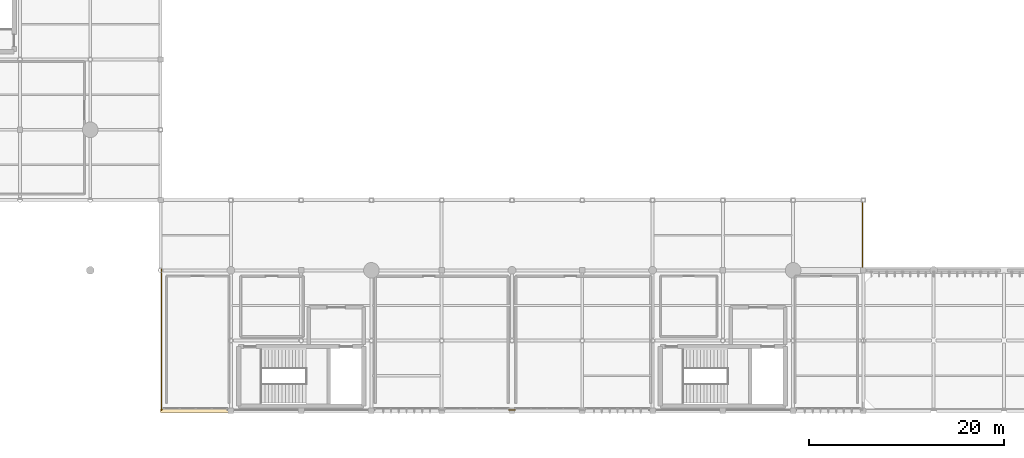
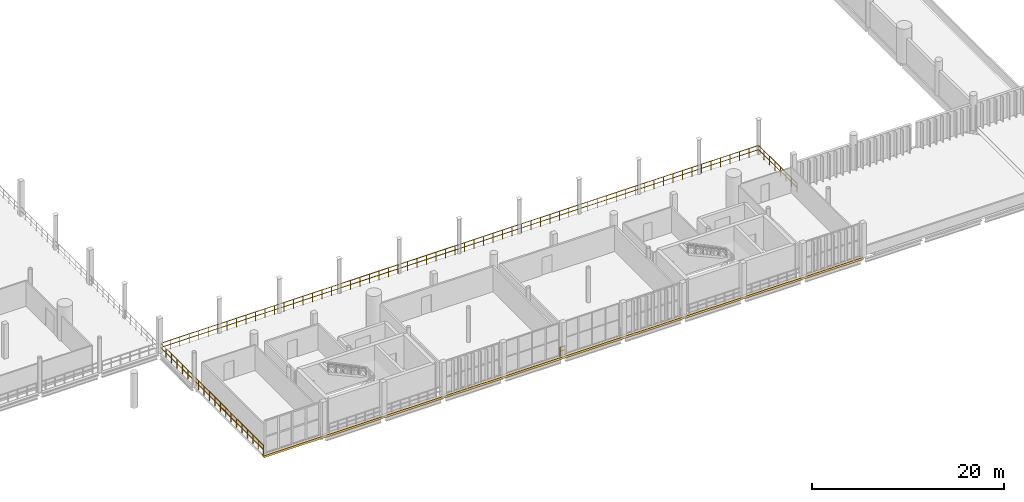
# One storey, part 68 of 81: 2 railings, 1 covering.
"""IFC4 building model written with IfcOpenShell, lengths in metres."""

from ifc_helpers import new_model, si_unit, direction, frame, origin, origin_2d, place, context, subcontext, project, spatial, rectangle, circle, extrude, material, layer, layer_set, type_object, element, save


model = new_model("IFC4")

# Units and contexts
model_context = context("Model", 3, precision=1e-05, world=origin(), true_north=direction((0.0, 1.0)))
body_context = subcontext(model_context, "Body", "Model", "MODEL_VIEW")
ifc_project = project(units=[si_unit("LENGTHUNIT", "METRE"), si_unit("AREAUNIT", "SQUARE_METRE"), si_unit("VOLUMEUNIT", "CUBIC_METRE"), si_unit("PLANEANGLEUNIT", "RADIAN"), si_unit("MASSUNIT", "GRAM", prefix="KILO")], contexts=[model_context])

# Site, building, storey
site_placement = place(None, origin())
site = spatial("IfcSite", under=ifc_project, at=site_placement, CompositionType="ELEMENT")
building_placement = place(site_placement, origin())
building = spatial("IfcBuilding", under=site, at=building_placement, Name="Qandorah Velis Arena", CompositionType="ELEMENT")
storey_placement = place(building_placement, frame((0.0, 0.0, 18.60009765625)))
storey = spatial("IfcBuildingStorey", under=building, at=storey_placement, Name="L04", CompositionType="ELEMENT", Elevation=18.60009765625)

# Covering
ifc_material_1 = material(Name="Precast Riyadh limestone cladding", Category="masonry")
ifc_layer = layer(ifc_material_1, 0.054931640625)
ifc_layer_set = layer_set([ifc_layer], Name="Precast Riyadh limestone cladding")
covering_type = type_object("IfcCoveringType", Name="ARC-COV-CLAD", PredefinedType="CLADDING", material=ifc_layer_set)
covering_placement = place(storey_placement, frame((57.60009765625, 0.0400390625, -0.27001953125), z_axis=(0.0, 0.0, 1.0), x_axis=(1.0, 0.0, 0.0)))
element("IfcCovering", 1, at=covering_placement, inside=storey, type_object=covering_type, Name="Sculpted precast solar eyebrow reveal 07", PredefinedType="CLADDING", context=body_context, shape_type="SweptSolid", body=[
    extrude(rectangle(XDim=72.0, YDim=0.360107421875, at=origin_2d()), origin(), (0.0, 0.0, 1.0), 0.260009765625),
])

# Railings
ifc_material_2 = material(Name="Stainless steel 316", Category="steel")
railing_type = type_object("IfcRailingType", Name="ARC-RL-GRD1150", PredefinedType="GUARDRAIL", material=ifc_material_2)
railing_1_placement = place(storey_placement, frame((21.699951171875, 0.10009765625, 0.0)))
element("IfcRailing", 2, at=railing_1_placement, inside=storey, type_object=railing_type, Name="Slab edge safety guardrail L04-224", PredefinedType="GUARDRAIL", context=body_context, shape_type="SweptSolid", body=[
    extrude(circle(Radius=0.02392578125, at=origin_2d()), frame((0.0, 0.0, 1.1259765625), z_axis=(0.0, 1.0, 0.0), x_axis=(-1.0, 0.0, 0.0)), (0.0, 0.0, 1.0), 21.39990234375),
    extrude(circle(Radius=0.02392578125, at=origin_2d()), frame((0.0, 0.0, 0.597900390625), z_axis=(0.0, 1.0, 0.0), x_axis=(-1.0, 0.0, 0.0)), (0.0, 0.0, 1.0), 21.39990234375),
    extrude(circle(Radius=0.02392578125, at=origin_2d()), frame((0.0, 21.39990234375, 1.1259765625), z_axis=(1.0, 0.0, 0.0), x_axis=(0.0, 1.0, 0.0)), (0.0, 0.0, 1.0), 71.800048828125),
    extrude(circle(Radius=0.02392578125, at=origin_2d()), frame((0.0, 21.39990234375, 0.597900390625), z_axis=(1.0, 0.0, 0.0), x_axis=(0.0, 1.0, 0.0)), (0.0, 0.0, 1.0), 71.800048828125),
    extrude(circle(Radius=0.02392578125, at=origin_2d()), frame((71.800048828125, 21.39990234375, 1.1259765625), z_axis=(0.0, -1.0, 0.0), x_axis=(1.0, 0.0, 0.0)), (0.0, 0.0, 1.0), 7.963623046875),
    extrude(circle(Radius=0.02392578125, at=origin_2d()), frame((71.800048828125, 21.39990234375, 0.597900390625), z_axis=(0.0, -1.0, 0.0), x_axis=(1.0, 0.0, 0.0)), (0.0, 0.0, 1.0), 7.963623046875),
    extrude(circle(Radius=0.02099609375, at=origin_2d()), origin(), (0.0, 0.0, 1.0), 1.101806640625),
    extrude(circle(Radius=0.02099609375, at=origin_2d()), frame((0.0, 1.126220703125, 0.0)), (0.0, 0.0, 1.0), 1.101806640625),
    extrude(circle(Radius=0.02099609375, at=origin_2d()), frame((0.0, 2.252685546875, 0.0)), (0.0, 0.0, 1.0), 1.101806640625),
    extrude(circle(Radius=0.02099609375, at=origin_2d()), frame((0.0, 3.37890625, 0.0)), (0.0, 0.0, 1.0), 1.101806640625),
    extrude(circle(Radius=0.02099609375, at=origin_2d()), frame((0.0, 4.505126953125, 0.0)), (0.0, 0.0, 1.0), 1.101806640625),
    extrude(circle(Radius=0.02099609375, at=origin_2d()), frame((0.0, 5.631591796875, 0.0)), (0.0, 0.0, 1.0), 1.101806640625),
    extrude(circle(Radius=0.02099609375, at=origin_2d()), frame((0.0, 6.7578125, 0.0)), (0.0, 0.0, 1.0), 1.101806640625),
    extrude(circle(Radius=0.02099609375, at=origin_2d()), frame((0.0, 7.88427734375, 0.0)), (0.0, 0.0, 1.0), 1.101806640625),
    extrude(circle(Radius=0.02099609375, at=origin_2d()), frame((0.0, 9.010498046875, 0.0)), (0.0, 0.0, 1.0), 1.101806640625),
    extrude(circle(Radius=0.02099609375, at=origin_2d()), frame((0.0, 10.13671875, 0.0)), (0.0, 0.0, 1.0), 1.101806640625),
    extrude(circle(Radius=0.02099609375, at=origin_2d()), frame((0.0, 11.26318359375, 0.0)), (0.0, 0.0, 1.0), 1.101806640625),
    extrude(circle(Radius=0.02099609375, at=origin_2d()), frame((0.0, 12.389404296875, 0.0)), (0.0, 0.0, 1.0), 1.101806640625),
    extrude(circle(Radius=0.02099609375, at=origin_2d()), frame((0.0, 13.515625, 0.0)), (0.0, 0.0, 1.0), 1.101806640625),
    extrude(circle(Radius=0.02099609375, at=origin_2d()), frame((0.0, 14.64208984375, 0.0)), (0.0, 0.0, 1.0), 1.101806640625),
    extrude(circle(Radius=0.02099609375, at=origin_2d()), frame((0.0, 15.768310546875, 0.0)), (0.0, 0.0, 1.0), 1.101806640625),
    extrude(circle(Radius=0.02099609375, at=origin_2d()), frame((0.0, 16.894775390625, 0.0)), (0.0, 0.0, 1.0), 1.101806640625),
    extrude(circle(Radius=0.02099609375, at=origin_2d()), frame((0.0, 18.02099609375, 0.0)), (0.0, 0.0, 1.0), 1.101806640625),
    extrude(circle(Radius=0.02099609375, at=origin_2d()), frame((0.0, 19.147216796875, 0.0)), (0.0, 0.0, 1.0), 1.101806640625),
    extrude(circle(Radius=0.02099609375, at=origin_2d()), frame((0.0, 20.273681640625, 0.0)), (0.0, 0.0, 1.0), 1.101806640625),
    extrude(circle(Radius=0.02099609375, at=origin_2d()), frame((0.0, 21.39990234375, 0.0)), (0.0, 0.0, 1.0), 1.101806640625),
    extrude(circle(Radius=0.02099609375, at=origin_2d()), frame((1.1396484375, 21.39990234375, 0.0)), (0.0, 0.0, 1.0), 1.101806640625),
    extrude(circle(Radius=0.02099609375, at=origin_2d()), frame((2.279296875, 21.39990234375, 0.0)), (0.0, 0.0, 1.0), 1.101806640625),
    extrude(circle(Radius=0.02099609375, at=origin_2d()), frame((3.4189453125, 21.39990234375, 0.0)), (0.0, 0.0, 1.0), 1.101806640625),
    extrude(circle(Radius=0.02099609375, at=origin_2d()), frame((4.558837890625, 21.39990234375, 0.0)), (0.0, 0.0, 1.0), 1.101806640625),
    extrude(circle(Radius=0.02099609375, at=origin_2d()), frame((5.698486328125, 21.39990234375, 0.0)), (0.0, 0.0, 1.0), 1.101806640625),
    extrude(circle(Radius=0.02099609375, at=origin_2d()), frame((6.838134765625, 21.39990234375, 0.0)), (0.0, 0.0, 1.0), 1.101806640625),
    extrude(circle(Radius=0.02099609375, at=origin_2d()), frame((7.977783203125, 21.39990234375, 0.0)), (0.0, 0.0, 1.0), 1.101806640625),
    extrude(circle(Radius=0.02099609375, at=origin_2d()), frame((9.117431640625, 21.39990234375, 0.0)), (0.0, 0.0, 1.0), 1.101806640625),
    extrude(circle(Radius=0.02099609375, at=origin_2d()), frame((10.257080078125, 21.39990234375, 0.0)), (0.0, 0.0, 1.0), 1.101806640625),
    extrude(circle(Radius=0.02099609375, at=origin_2d()), frame((11.396728515625, 21.39990234375, 0.0)), (0.0, 0.0, 1.0), 1.101806640625),
    extrude(circle(Radius=0.02099609375, at=origin_2d()), frame((12.53662109375, 21.39990234375, 0.0)), (0.0, 0.0, 1.0), 1.101806640625),
    extrude(circle(Radius=0.02099609375, at=origin_2d()), frame((13.67626953125, 21.39990234375, 0.0)), (0.0, 0.0, 1.0), 1.101806640625),
    extrude(circle(Radius=0.02099609375, at=origin_2d()), frame((14.81591796875, 21.39990234375, 0.0)), (0.0, 0.0, 1.0), 1.101806640625),
    extrude(circle(Radius=0.02099609375, at=origin_2d()), frame((15.95556640625, 21.39990234375, 0.0)), (0.0, 0.0, 1.0), 1.101806640625),
    extrude(circle(Radius=0.02099609375, at=origin_2d()), frame((17.09521484375, 21.39990234375, 0.0)), (0.0, 0.0, 1.0), 1.101806640625),
    extrude(circle(Radius=0.02099609375, at=origin_2d()), frame((18.23486328125, 21.39990234375, 0.0)), (0.0, 0.0, 1.0), 1.101806640625),
    extrude(circle(Radius=0.02099609375, at=origin_2d()), frame((19.37451171875, 21.39990234375, 0.0)), (0.0, 0.0, 1.0), 1.101806640625),
    extrude(circle(Radius=0.02099609375, at=origin_2d()), frame((20.514404296875, 21.39990234375, 0.0)), (0.0, 0.0, 1.0), 1.101806640625),
    extrude(circle(Radius=0.02099609375, at=origin_2d()), frame((21.654052734375, 21.39990234375, 0.0)), (0.0, 0.0, 1.0), 1.101806640625),
    extrude(circle(Radius=0.02099609375, at=origin_2d()), frame((22.793701171875, 21.39990234375, 0.0)), (0.0, 0.0, 1.0), 1.101806640625),
    extrude(circle(Radius=0.02099609375, at=origin_2d()), frame((23.933349609375, 21.39990234375, 0.0)), (0.0, 0.0, 1.0), 1.101806640625),
    extrude(circle(Radius=0.02099609375, at=origin_2d()), frame((25.072998046875, 21.39990234375, 0.0)), (0.0, 0.0, 1.0), 1.101806640625),
    extrude(circle(Radius=0.02099609375, at=origin_2d()), frame((26.212646484375, 21.39990234375, 0.0)), (0.0, 0.0, 1.0), 1.101806640625),
    extrude(circle(Radius=0.02099609375, at=origin_2d()), frame((27.352294921875, 21.39990234375, 0.0)), (0.0, 0.0, 1.0), 1.101806640625),
    extrude(circle(Radius=0.02099609375, at=origin_2d()), frame((28.4921875, 21.39990234375, 0.0)), (0.0, 0.0, 1.0), 1.101806640625),
    extrude(circle(Radius=0.02099609375, at=origin_2d()), frame((29.6318359375, 21.39990234375, 0.0)), (0.0, 0.0, 1.0), 1.101806640625),
    extrude(circle(Radius=0.02099609375, at=origin_2d()), frame((30.771484375, 21.39990234375, 0.0)), (0.0, 0.0, 1.0), 1.101806640625),
    extrude(circle(Radius=0.02099609375, at=origin_2d()), frame((31.9111328125, 21.39990234375, 0.0)), (0.0, 0.0, 1.0), 1.101806640625),
    extrude(circle(Radius=0.02099609375, at=origin_2d()), frame((33.05078125, 21.39990234375, 0.0)), (0.0, 0.0, 1.0), 1.101806640625),
    extrude(circle(Radius=0.02099609375, at=origin_2d()), frame((34.1904296875, 21.39990234375, 0.0)), (0.0, 0.0, 1.0), 1.101806640625),
    extrude(circle(Radius=0.02099609375, at=origin_2d()), frame((35.330078125, 21.39990234375, 0.0)), (0.0, 0.0, 1.0), 1.101806640625),
    extrude(circle(Radius=0.02099609375, at=origin_2d()), frame((36.469970703125, 21.39990234375, 0.0)), (0.0, 0.0, 1.0), 1.101806640625),
    extrude(circle(Radius=0.02099609375, at=origin_2d()), frame((37.609619140625, 21.39990234375, 0.0)), (0.0, 0.0, 1.0), 1.101806640625),
    extrude(circle(Radius=0.02099609375, at=origin_2d()), frame((38.749267578125, 21.39990234375, 0.0)), (0.0, 0.0, 1.0), 1.101806640625),
    extrude(circle(Radius=0.02099609375, at=origin_2d()), frame((39.888916015625, 21.39990234375, 0.0)), (0.0, 0.0, 1.0), 1.101806640625),
    extrude(circle(Radius=0.02099609375, at=origin_2d()), frame((41.028564453125, 21.39990234375, 0.0)), (0.0, 0.0, 1.0), 1.101806640625),
    extrude(circle(Radius=0.02099609375, at=origin_2d()), frame((42.168212890625, 21.39990234375, 0.0)), (0.0, 0.0, 1.0), 1.101806640625),
    extrude(circle(Radius=0.02099609375, at=origin_2d()), frame((43.307861328125, 21.39990234375, 0.0)), (0.0, 0.0, 1.0), 1.101806640625),
    extrude(circle(Radius=0.02099609375, at=origin_2d()), frame((44.44775390625, 21.39990234375, 0.0)), (0.0, 0.0, 1.0), 1.101806640625),
    extrude(circle(Radius=0.02099609375, at=origin_2d()), frame((45.58740234375, 21.39990234375, 0.0)), (0.0, 0.0, 1.0), 1.101806640625),
    extrude(circle(Radius=0.02099609375, at=origin_2d()), frame((46.72705078125, 21.39990234375, 0.0)), (0.0, 0.0, 1.0), 1.101806640625),
    extrude(circle(Radius=0.02099609375, at=origin_2d()), frame((47.86669921875, 21.39990234375, 0.0)), (0.0, 0.0, 1.0), 1.101806640625),
    extrude(circle(Radius=0.02099609375, at=origin_2d()), frame((49.00634765625, 21.39990234375, 0.0)), (0.0, 0.0, 1.0), 1.101806640625),
    extrude(circle(Radius=0.02099609375, at=origin_2d()), frame((50.14599609375, 21.39990234375, 0.0)), (0.0, 0.0, 1.0), 1.101806640625),
    extrude(circle(Radius=0.02099609375, at=origin_2d()), frame((51.28564453125, 21.39990234375, 0.0)), (0.0, 0.0, 1.0), 1.101806640625),
    extrude(circle(Radius=0.02099609375, at=origin_2d()), frame((52.425537109375, 21.39990234375, 0.0)), (0.0, 0.0, 1.0), 1.101806640625),
    extrude(circle(Radius=0.02099609375, at=origin_2d()), frame((53.565185546875, 21.39990234375, 0.0)), (0.0, 0.0, 1.0), 1.101806640625),
    extrude(circle(Radius=0.02099609375, at=origin_2d()), frame((54.704833984375, 21.39990234375, 0.0)), (0.0, 0.0, 1.0), 1.101806640625),
    extrude(circle(Radius=0.02099609375, at=origin_2d()), frame((55.844482421875, 21.39990234375, 0.0)), (0.0, 0.0, 1.0), 1.101806640625),
    extrude(circle(Radius=0.02099609375, at=origin_2d()), frame((56.984130859375, 21.39990234375, 0.0)), (0.0, 0.0, 1.0), 1.101806640625),
    extrude(circle(Radius=0.02099609375, at=origin_2d()), frame((58.123779296875, 21.39990234375, 0.0)), (0.0, 0.0, 1.0), 1.101806640625),
    extrude(circle(Radius=0.02099609375, at=origin_2d()), frame((59.263427734375, 21.39990234375, 0.0)), (0.0, 0.0, 1.0), 1.101806640625),
    extrude(circle(Radius=0.02099609375, at=origin_2d()), frame((60.4033203125, 21.39990234375, 0.0)), (0.0, 0.0, 1.0), 1.101806640625),
    extrude(circle(Radius=0.02099609375, at=origin_2d()), frame((61.54296875, 21.39990234375, 0.0)), (0.0, 0.0, 1.0), 1.101806640625),
    extrude(circle(Radius=0.02099609375, at=origin_2d()), frame((62.6826171875, 21.39990234375, 0.0)), (0.0, 0.0, 1.0), 1.101806640625),
    extrude(circle(Radius=0.02099609375, at=origin_2d()), frame((63.822265625, 21.39990234375, 0.0)), (0.0, 0.0, 1.0), 1.101806640625),
    extrude(circle(Radius=0.02099609375, at=origin_2d()), frame((64.9619140625, 21.39990234375, 0.0)), (0.0, 0.0, 1.0), 1.101806640625),
    extrude(circle(Radius=0.02099609375, at=origin_2d()), frame((66.1015625, 21.39990234375, 0.0)), (0.0, 0.0, 1.0), 1.101806640625),
    extrude(circle(Radius=0.02099609375, at=origin_2d()), frame((67.2412109375, 21.39990234375, 0.0)), (0.0, 0.0, 1.0), 1.101806640625),
    extrude(circle(Radius=0.02099609375, at=origin_2d()), frame((68.381103515625, 21.39990234375, 0.0)), (0.0, 0.0, 1.0), 1.101806640625),
    extrude(circle(Radius=0.02099609375, at=origin_2d()), frame((69.520751953125, 21.39990234375, 0.0)), (0.0, 0.0, 1.0), 1.101806640625),
    extrude(circle(Radius=0.02099609375, at=origin_2d()), frame((70.660400390625, 21.39990234375, 0.0)), (0.0, 0.0, 1.0), 1.101806640625),
    extrude(circle(Radius=0.02099609375, at=origin_2d()), frame((71.800048828125, 21.39990234375, 0.0)), (0.0, 0.0, 1.0), 1.101806640625),
    extrude(circle(Radius=0.02099609375, at=origin_2d()), frame((71.800048828125, 20.26220703125, 0.0)), (0.0, 0.0, 1.0), 1.101806640625),
    extrude(circle(Radius=0.02099609375, at=origin_2d()), frame((71.800048828125, 19.12451171875, 0.0)), (0.0, 0.0, 1.0), 1.101806640625),
    extrude(circle(Radius=0.02099609375, at=origin_2d()), frame((71.800048828125, 17.98681640625, 0.0)), (0.0, 0.0, 1.0), 1.101806640625),
    extrude(circle(Radius=0.02099609375, at=origin_2d()), frame((71.800048828125, 16.849365234375, 0.0)), (0.0, 0.0, 1.0), 1.101806640625),
    extrude(circle(Radius=0.02099609375, at=origin_2d()), frame((71.800048828125, 15.711669921875, 0.0)), (0.0, 0.0, 1.0), 1.101806640625),
    extrude(circle(Radius=0.02099609375, at=origin_2d()), frame((71.800048828125, 14.573974609375, 0.0)), (0.0, 0.0, 1.0), 1.101806640625),
    extrude(circle(Radius=0.02099609375, at=origin_2d()), frame((71.800048828125, 13.436279296875, 0.0)), (0.0, 0.0, 1.0), 1.101806640625),
])
railing_2_placement = place(storey_placement, frame((57.89990234375, 0.10009765625, 0.0)))
element("IfcRailing", 3, at=railing_2_placement, inside=storey, type_object=railing_type, Name="Slab edge safety guardrail L04-228", PredefinedType="GUARDRAIL", context=body_context, shape_type="SweptSolid", body=[
    extrude(circle(Radius=0.02392578125, at=origin_2d()), frame((0.0, 0.0, 1.1259765625), z_axis=(-1.0, 0.0, 0.0), x_axis=(0.0, -1.0, 0.0)), (0.0, 0.0, 1.0), 0.599853515625),
    extrude(circle(Radius=0.02392578125, at=origin_2d()), frame((0.0, 0.0, 0.597900390625), z_axis=(-1.0, 0.0, 0.0), x_axis=(0.0, -1.0, 0.0)), (0.0, 0.0, 1.0), 0.599853515625),
    extrude(circle(Radius=0.02099609375, at=origin_2d()), origin(), (0.0, 0.0, 1.0), 1.101806640625),
    extrude(circle(Radius=0.02099609375, at=origin_2d()), frame((-0.599853515625, 0.0, 0.0)), (0.0, 0.0, 1.0), 1.101806640625),
])

save(model, "model.ifc")
